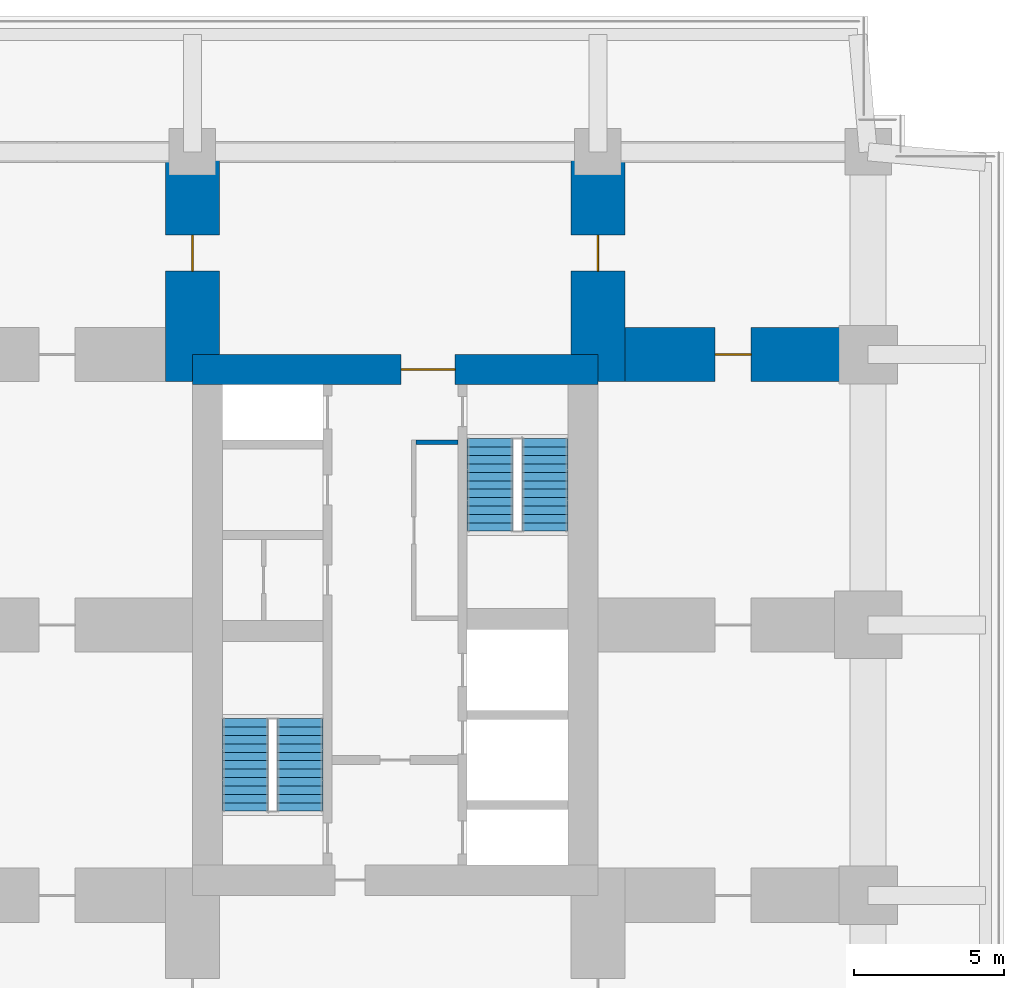
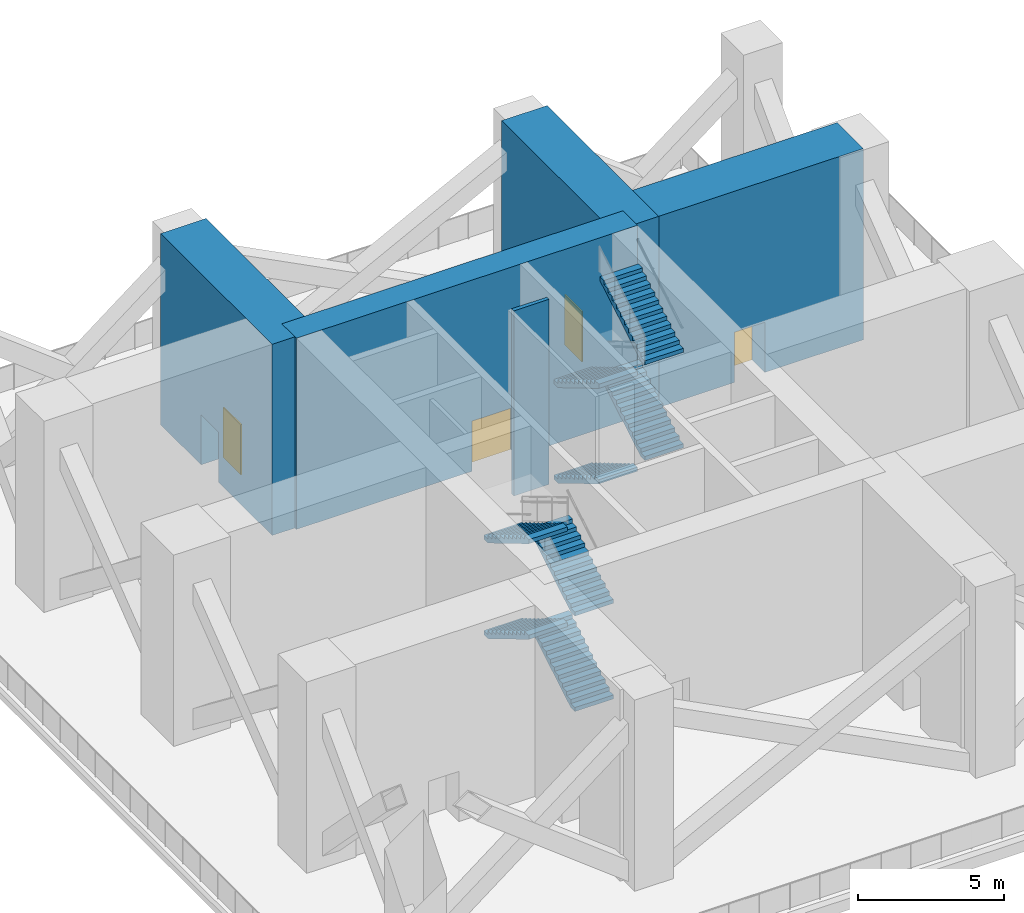
# One storey, part 3 of 6: 8 stair flights, 5 walls, 4 doors, 4 openings, 2 elements without a shape of their own.
"""IFC4 building model written with IfcOpenShell, lengths in metres."""

from ifc_helpers import new_model, si_unit, direction, frame, frame_2d, origin, place, context, subcontext, project, spatial, polyline, rectangle, outline, extrude, material, layer, layer_set, type_object, element, fill, aggregate, save


model = new_model("IFC4")

# Units and contexts
model_context = context("Model", 3, precision=1e-05, world=origin(), true_north=direction((0.0, 1.0)))
body_context = subcontext(model_context, "Body", "Model", "MODEL_VIEW")
ifc_project = project(units=[si_unit("LENGTHUNIT", "METRE"), si_unit("AREAUNIT", "SQUARE_METRE"), si_unit("VOLUMEUNIT", "CUBIC_METRE"), si_unit("PLANEANGLEUNIT", "RADIAN"), si_unit("MASSUNIT", "GRAM", prefix="KILO")], contexts=[model_context])

# Site, building, storey
site_placement = place(None, origin())
site = spatial("IfcSite", under=ifc_project, at=site_placement, CompositionType="ELEMENT")
building_placement = place(site_placement, origin())
building = spatial("IfcBuilding", under=site, at=building_placement, Name="Namib Vertical Campus", CompositionType="ELEMENT")
storey_placement = place(building_placement, frame((0.0, 0.0, 245.0)))
storey = spatial("IfcBuildingStorey", under=building, at=storey_placement, Name="L58", CompositionType="ELEMENT", Elevation=245.0)

# Wall, opening, door
ifc_material_1 = material(Name="Concrete C60/75", Category="concrete")
ifc_layer_1 = layer(ifc_material_1, 1.0)
ifc_layer_set_1 = layer_set([ifc_layer_1], Name="Concrete C60/75")
wall_type_1 = type_object("IfcWallType", Name="Core wall 1000", PredefinedType="SHEAR", material=ifc_layer_set_1)
wall_1_placement = place(storey_placement, frame((27.0, 28.75, 0.0), z_axis=(0.0, 0.0, 1.0), x_axis=(-1.0, 0.0, 0.0)))
wall_1 = element("IfcWall", 1, at=wall_1_placement, inside=storey, type_object=wall_type_1, Name="Core wall A L58 3", PredefinedType="SHEAR", context=body_context, shape_type="SweptSolid", body=[
    extrude(rectangle(XDim=13.5, YDim=1.0, at=frame_2d((6.75, 0.0))), origin(), (0.0, 0.0, 1.0), 8.0),
])
opening_1_placement = place(wall_1_placement, frame((4.75, 0.0, 0.0)))
opening_1 = element("IfcOpeningElement", 2, at=opening_1_placement, cuts=wall_1, Name="Opening FD2", PredefinedType="OPENING", context=body_context, shape_type="SweptSolid", body=[
    extrude(rectangle(XDim=1.800048828125, YDim=2.10009765625, at=frame_2d((0.89990234375, 1.050048828125))), frame((0.0, 0.510009765625, 0.0), z_axis=(0.0, -1.0, 0.0), x_axis=(1.0, 0.0, 0.0)), (0.0, 0.0, 1.0), 1.02001953125),
])
ifc_material_2 = material(Name="Steel fire door", Category="steel")
door_type_1 = type_object("IfcDoorType", Name="Fire door double 1800x2100", OperationType="DOUBLE_DOOR_SINGLE_SWING", PredefinedType="DOOR", material=ifc_material_2)
door_1_placement = place(opening_1_placement, frame((1.800048828125, 0.0, 0.0), z_axis=(0.0, 0.0, 1.0), x_axis=(-1.0, 0.0, 0.0)))
door_1 = element("IfcDoor", 3, at=door_1_placement, inside=storey, type_object=door_type_1, Name="Lift lobby door FD2 A L58", OperationType="DOUBLE_DOOR_SINGLE_SWING", OverallHeight=2.10009765625, OverallWidth=1.800048828125, PredefinedType="DOOR", context=body_context, shape_type="SweptSolid", body=[
    extrude(rectangle(XDim=1.800048828125, YDim=2.10009765625, at=frame_2d((0.89990234375, 1.050048828125))), frame((0.0, 0.02490234375, 0.0), z_axis=(0.0, -1.0, 0.0), x_axis=(1.0, 0.0, 0.0)), (0.0, 0.0, 1.0), 0.050048828125),
])
fill(opening_1, door_1)

ifc_material_3 = material(Name="Concrete C60/75", Category="concrete")
ifc_layer_2 = layer(ifc_material_3, 1.800048828125)
ifc_layer_set_2 = layer_set([ifc_layer_2], Name="Concrete C60/75")
wall_type_2 = type_object("IfcWallType", Name="Outrigger wall 1800", PredefinedType="SHEAR", material=ifc_layer_set_2)
wall_2_placement = place(storey_placement, frame((13.5, 28.35009765625, 0.0), z_axis=(0.0, 0.0, 1.0), x_axis=(0.0, 1.0, 0.0)))
wall_2 = element("IfcWall", 4, at=wall_2_placement, inside=storey, type_object=wall_type_2, Name="Outrigger wall A L58 OR3", PredefinedType="SHEAR", context=body_context, shape_type="SweptSolid", body=[
    extrude(rectangle(XDim=7.64990234375, YDim=1.800048828125, at=frame_2d((3.824951171875, 0.0))), origin(), (0.0, 0.0, 1.0), 8.0),
])
opening_2_placement = place(wall_2_placement, frame((3.675048828125, 0.0, 0.0)))
opening_2 = element("IfcOpeningElement", 5, at=opening_2_placement, cuts=wall_2, Name="Opening RD1", PredefinedType="OPENING", context=body_context, shape_type="SweptSolid", body=[
    extrude(rectangle(XDim=1.199951171875, YDim=2.10009765625, at=frame_2d((0.60009765625, 1.050048828125))), frame((0.0, 0.909912109375, 0.0), z_axis=(0.0, -1.0, 0.0), x_axis=(1.0, 0.0, 0.0)), (0.0, 0.0, 1.0), 1.820068359375),
])
ifc_material_4 = material(Name="Steel fire door", Category="steel")
door_type_2 = type_object("IfcDoorType", Name="Refuge door 1200x2100", OperationType="DOUBLE_DOOR_DOUBLE_SWING", PredefinedType="DOOR", material=ifc_material_4)
door_2_placement = place(opening_2_placement, origin())
door_2 = element("IfcDoor", 6, at=door_2_placement, inside=storey, type_object=door_type_2, Name="Refuge door RD1 A L58 OR3", OperationType="DOUBLE_DOOR_DOUBLE_SWING", OverallHeight=2.10009765625, OverallWidth=1.199951171875, PredefinedType="DOOR", context=body_context, shape_type="SweptSolid", body=[
    extrude(rectangle(XDim=1.199951171875, YDim=2.10009765625, at=frame_2d((0.60009765625, 1.050048828125))), frame((0.0, 0.02490234375, 0.0), z_axis=(0.0, -1.0, 0.0), x_axis=(1.0, 0.0, 0.0)), (0.0, 0.0, 1.0), 0.050048828125),
])
fill(opening_2, door_2)

wall_3_placement = place(storey_placement, frame((27.0, 28.35009765625, 0.0), z_axis=(0.0, 0.0, 1.0), x_axis=(0.0, 1.0, 0.0)))
wall_3 = element("IfcWall", 7, at=wall_3_placement, inside=storey, type_object=wall_type_2, Name="Outrigger wall A L58 OR4", PredefinedType="SHEAR", context=body_context, shape_type="SweptSolid", body=[
    extrude(rectangle(XDim=7.64990234375, YDim=1.800048828125, at=frame_2d((3.824951171875, 0.0))), origin(), (0.0, 0.0, 1.0), 8.0),
])
opening_3_placement = place(wall_3_placement, frame((3.675048828125, 0.0, 0.0)))
opening_3 = element("IfcOpeningElement", 8, at=opening_3_placement, cuts=wall_3, Name="Opening RD1", PredefinedType="OPENING", context=body_context, shape_type="SweptSolid", body=[
    extrude(rectangle(XDim=1.199951171875, YDim=2.10009765625, at=frame_2d((0.60009765625, 1.050048828125))), frame((0.0, 0.909912109375, 0.0), z_axis=(0.0, -1.0, 0.0), x_axis=(1.0, 0.0, 0.0)), (0.0, 0.0, 1.0), 1.820068359375),
])
door_3_placement = place(opening_3_placement, origin())
door_3 = element("IfcDoor", 9, at=door_3_placement, inside=storey, type_object=door_type_2, Name="Refuge door RD1 A L58 OR4", OperationType="DOUBLE_DOOR_DOUBLE_SWING", OverallHeight=2.10009765625, OverallWidth=1.199951171875, PredefinedType="DOOR", context=body_context, shape_type="SweptSolid", body=[
    extrude(rectangle(XDim=1.199951171875, YDim=2.10009765625, at=frame_2d((0.60009765625, 1.050048828125))), frame((0.0, 0.02490234375, 0.0), z_axis=(0.0, -1.0, 0.0), x_axis=(1.0, 0.0, 0.0)), (0.0, 0.0, 1.0), 0.050048828125),
])
fill(opening_3, door_3)

wall_4_placement = place(storey_placement, frame((27.89990234375, 29.25, 0.0), z_axis=(0.0, 0.0, 1.0), x_axis=(1.0, 0.0, 0.0)))
wall_4 = element("IfcWall", 10, at=wall_4_placement, inside=storey, type_object=wall_type_2, Name="Outrigger wall A L58 OR10", PredefinedType="SHEAR", context=body_context, shape_type="SweptSolid", body=[
    extrude(rectangle(XDim=8.10009765625, YDim=1.800048828125, at=frame_2d((4.050048828125, 0.0))), origin(), (0.0, 0.0, 1.0), 8.0),
])
opening_4_placement = place(wall_4_placement, frame((3.0, 0.0, 0.0)))
opening_4 = element("IfcOpeningElement", 11, at=opening_4_placement, cuts=wall_4, Name="Opening RD1", PredefinedType="OPENING", context=body_context, shape_type="SweptSolid", body=[
    extrude(rectangle(XDim=1.199951171875, YDim=2.10009765625, at=frame_2d((0.60009765625, 1.050048828125))), frame((0.0, 0.909912109375, 0.0), z_axis=(0.0, -1.0, 0.0), x_axis=(1.0, 0.0, 0.0)), (0.0, 0.0, 1.0), 1.820068359375),
])
door_4_placement = place(opening_4_placement, origin())
door_4 = element("IfcDoor", 12, at=door_4_placement, inside=storey, type_object=door_type_2, Name="Refuge door RD1 A L58 OR10", OperationType="DOUBLE_DOOR_DOUBLE_SWING", OverallHeight=2.10009765625, OverallWidth=1.199951171875, PredefinedType="DOOR", context=body_context, shape_type="SweptSolid", body=[
    extrude(rectangle(XDim=1.199951171875, YDim=2.10009765625, at=frame_2d((0.60009765625, 1.050048828125))), frame((0.0, 0.02490234375, 0.0), z_axis=(0.0, -1.0, 0.0), x_axis=(1.0, 0.0, 0.0)), (0.0, 0.0, 1.0), 0.050048828125),
])
fill(opening_4, door_4)

# Wall
ifc_material_5 = material(Name="Gypsum board on steel studs", Category="steel")
ifc_layer_3 = layer(ifc_material_5, 0.14990234375)
ifc_layer_set_3 = layer_set([ifc_layer_3], Name="Gypsum board on steel studs")
wall_type_3 = type_object("IfcWallType", Name="Partition 150", PredefinedType="PARTITIONING", material=ifc_layer_set_3)
wall_5_placement = place(storey_placement, frame((20.949951171875, 26.324951171875, 0.0), z_axis=(0.0, 0.0, 1.0), x_axis=(1.0, 0.0, 0.0)))
element("IfcWall", 13, at=wall_5_placement, inside=storey, type_object=wall_type_3, Name="Partition A L58 Store end 2", PredefinedType="PARTITIONING", context=body_context, shape_type="SweptSolid", body=[
    extrude(rectangle(XDim=1.400146484375, YDim=0.14990234375, at=frame_2d((0.7001953125, 0.0))), origin(), (0.0, 0.0, 1.0), 7.75),
])

# Stair, stair flights
ifc_material_6 = material(Name="Concrete C40/50 precast", Category="concrete")
stair_type = type_object("IfcStairType", Name="Exit stair 8000 rise 48 risers 3350 wide", PredefinedType="HALF_TURN_STAIR", material=ifc_material_6)
stair_1_placement = place(storey_placement, origin())
stair_1 = element("IfcStair", 14, at=stair_1_placement, inside=storey, type_object=stair_type, Name="Exit stair A-S1 L58", PredefinedType="HALF_TURN_STAIR")
ifc_material_7 = material(Name="Concrete C40/50 precast", Category="concrete")
stair_flight_type = type_object("IfcStairFlightType", Name="Stair flight 12 risers 167 1525 wide", PredefinedType="STRAIGHT", material=ifc_material_7)
stair_flight_1_placement = place(storey_placement, frame((17.08740234375, 14.050048828125, 0.0), z_axis=(0.0, 0.0, 1.0), x_axis=(0.0, 1.0, 0.0)))
stair_flight_1 = element("IfcStairFlight", 15, at=stair_flight_1_placement, type_object=stair_flight_type, Name="A-S1 flight 1", NumberOfRisers=12, NumberOfTreads=11, PredefinedType="STRAIGHT", RiserHeight=0.166666667, TreadLength=0.28, context=body_context, shape_type="SweptSolid", body=[
    extrude(outline(polyline([(0.0, 0.0), (0.0, 0.166748046875), (0.280029296875, 0.166748046875), (0.280029296875, 0.333251953125), (0.56005859375, 0.333251953125), (0.56005859375, 0.5), (0.840087890625, 0.5), (0.840087890625, 0.666748046875), (1.1201171875, 0.666748046875), (1.1201171875, 0.833251953125), (1.39990234375, 0.833251953125), (1.39990234375, 1.0), (1.679931640625, 1.0), (1.679931640625, 1.166748046875), (1.9599609375, 1.166748046875), (1.9599609375, 1.333251953125), (2.239990234375, 1.333251953125), (2.239990234375, 1.5), (2.52001953125, 1.5), (2.52001953125, 1.666748046875), (2.800048828125, 1.666748046875), (2.800048828125, 1.833251953125), (3.080078125, 1.833251953125), (3.080078125, 2.0), (3.080078125, 1.658935546875), (0.29296875, 0.0), (0.0, 0.0)])), frame((0.0, 0.762451171875, 0.0), z_axis=(0.0, -1.0, 0.0), x_axis=(1.0, 0.0, 0.0)), (0.0, 0.0, 1.0), 1.52490234375),
])
stair_flight_2_placement = place(storey_placement, frame((15.262451171875, 17.1298828125, 2.0), z_axis=(0.0, 0.0, 1.0), x_axis=(0.0, -1.0, 0.0)))
stair_flight_2 = element("IfcStairFlight", 16, at=stair_flight_2_placement, type_object=stair_flight_type, Name="A-S1 flight 2", NumberOfRisers=12, NumberOfTreads=11, PredefinedType="STRAIGHT", RiserHeight=0.166666667, TreadLength=0.28, context=body_context, shape_type="SweptSolid", body=[
    extrude(outline(polyline([(0.0, 0.0), (0.0, 0.166748046875), (0.280029296875, 0.166748046875), (0.280029296875, 0.333251953125), (0.56005859375, 0.333251953125), (0.56005859375, 0.5), (0.840087890625, 0.5), (0.840087890625, 0.666748046875), (1.1201171875, 0.666748046875), (1.1201171875, 0.833251953125), (1.39990234375, 0.833251953125), (1.39990234375, 1.0), (1.679931640625, 1.0), (1.679931640625, 1.166748046875), (1.9599609375, 1.166748046875), (1.9599609375, 1.333251953125), (2.239990234375, 1.333251953125), (2.239990234375, 1.5), (2.52001953125, 1.5), (2.52001953125, 1.666748046875), (2.800048828125, 1.666748046875), (2.800048828125, 1.833251953125), (3.080078125, 1.833251953125), (3.080078125, 2.0), (3.080078125, 1.658935546875), (0.29296875, 0.0), (0.0, 0.0)])), frame((0.0, 0.762451171875, 0.0), z_axis=(0.0, -1.0, 0.0), x_axis=(1.0, 0.0, 0.0)), (0.0, 0.0, 1.0), 1.52490234375),
])
stair_flight_3_placement = place(storey_placement, frame((17.08740234375, 14.050048828125, 4.0), z_axis=(0.0, 0.0, 1.0), x_axis=(0.0, 1.0, 0.0)))
stair_flight_3 = element("IfcStairFlight", 17, at=stair_flight_3_placement, type_object=stair_flight_type, Name="A-S1 flight 3", NumberOfRisers=12, NumberOfTreads=11, PredefinedType="STRAIGHT", RiserHeight=0.166666667, TreadLength=0.28, context=body_context, shape_type="SweptSolid", body=[
    extrude(outline(polyline([(0.0, 0.0), (0.0, 0.166748046875), (0.280029296875, 0.166748046875), (0.280029296875, 0.333251953125), (0.56005859375, 0.333251953125), (0.56005859375, 0.5), (0.840087890625, 0.5), (0.840087890625, 0.666748046875), (1.1201171875, 0.666748046875), (1.1201171875, 0.833251953125), (1.39990234375, 0.833251953125), (1.39990234375, 1.0), (1.679931640625, 1.0), (1.679931640625, 1.166748046875), (1.9599609375, 1.166748046875), (1.9599609375, 1.333251953125), (2.239990234375, 1.333251953125), (2.239990234375, 1.5), (2.52001953125, 1.5), (2.52001953125, 1.666748046875), (2.800048828125, 1.666748046875), (2.800048828125, 1.833251953125), (3.080078125, 1.833251953125), (3.080078125, 2.0), (3.080078125, 1.658935546875), (0.29296875, 0.0), (0.0, 0.0)])), frame((0.0, 0.762451171875, 0.0), z_axis=(0.0, -1.0, 0.0), x_axis=(1.0, 0.0, 0.0)), (0.0, 0.0, 1.0), 1.52490234375),
])
stair_flight_4_placement = place(storey_placement, frame((15.262451171875, 17.1298828125, 6.0), z_axis=(0.0, 0.0, 1.0), x_axis=(0.0, -1.0, 0.0)))
stair_flight_4 = element("IfcStairFlight", 18, at=stair_flight_4_placement, type_object=stair_flight_type, Name="A-S1 flight 4", NumberOfRisers=12, NumberOfTreads=11, PredefinedType="STRAIGHT", RiserHeight=0.166666667, TreadLength=0.28, context=body_context, shape_type="SweptSolid", body=[
    extrude(outline(polyline([(0.0, 0.0), (0.0, 0.166748046875), (0.280029296875, 0.166748046875), (0.280029296875, 0.333251953125), (0.56005859375, 0.333251953125), (0.56005859375, 0.5), (0.840087890625, 0.5), (0.840087890625, 0.666748046875), (1.1201171875, 0.666748046875), (1.1201171875, 0.833251953125), (1.39990234375, 0.833251953125), (1.39990234375, 1.0), (1.679931640625, 1.0), (1.679931640625, 1.166748046875), (1.9599609375, 1.166748046875), (1.9599609375, 1.333251953125), (2.239990234375, 1.333251953125), (2.239990234375, 1.5), (2.52001953125, 1.5), (2.52001953125, 1.666748046875), (2.800048828125, 1.666748046875), (2.800048828125, 1.833251953125), (3.080078125, 1.833251953125), (3.080078125, 2.0), (3.080078125, 1.658935546875), (0.29296875, 0.0), (0.0, 0.0)])), frame((0.0, 0.762451171875, 0.0), z_axis=(0.0, -1.0, 0.0), x_axis=(1.0, 0.0, 0.0)), (0.0, 0.0, 1.0), 1.52490234375),
])
aggregate(stair_1, [stair_flight_1, stair_flight_2, stair_flight_3, stair_flight_4])

stair_2_placement = place(storey_placement, origin())
stair_2 = element("IfcStair", 19, at=stair_2_placement, inside=storey, type_object=stair_type, Name="Exit stair A-S2 L58", PredefinedType="HALF_TURN_STAIR")
stair_flight_5_placement = place(storey_placement, frame((23.41259765625, 26.449951171875, 0.0), z_axis=(0.0, 0.0, 1.0), x_axis=(0.0, -1.0, 0.0)))
stair_flight_5 = element("IfcStairFlight", 20, at=stair_flight_5_placement, type_object=stair_flight_type, Name="A-S2 flight 1", NumberOfRisers=12, NumberOfTreads=11, PredefinedType="STRAIGHT", RiserHeight=0.166666667, TreadLength=0.28, context=body_context, shape_type="SweptSolid", body=[
    extrude(outline(polyline([(0.0, 0.0), (0.0, 0.166748046875), (0.280029296875, 0.166748046875), (0.280029296875, 0.333251953125), (0.56005859375, 0.333251953125), (0.56005859375, 0.5), (0.840087890625, 0.5), (0.840087890625, 0.666748046875), (1.1201171875, 0.666748046875), (1.1201171875, 0.833251953125), (1.39990234375, 0.833251953125), (1.39990234375, 1.0), (1.679931640625, 1.0), (1.679931640625, 1.166748046875), (1.9599609375, 1.166748046875), (1.9599609375, 1.333251953125), (2.239990234375, 1.333251953125), (2.239990234375, 1.5), (2.52001953125, 1.5), (2.52001953125, 1.666748046875), (2.800048828125, 1.666748046875), (2.800048828125, 1.833251953125), (3.080078125, 1.833251953125), (3.080078125, 2.0), (3.080078125, 1.658935546875), (0.29296875, 0.0), (0.0, 0.0)])), frame((0.0, 0.762451171875, 0.0), z_axis=(0.0, -1.0, 0.0), x_axis=(1.0, 0.0, 0.0)), (0.0, 0.0, 1.0), 1.52490234375),
])
stair_flight_6_placement = place(storey_placement, frame((25.237548828125, 23.3701171875, 2.0), z_axis=(0.0, 0.0, 1.0), x_axis=(0.0, 1.0, 0.0)))
stair_flight_6 = element("IfcStairFlight", 21, at=stair_flight_6_placement, type_object=stair_flight_type, Name="A-S2 flight 2", NumberOfRisers=12, NumberOfTreads=11, PredefinedType="STRAIGHT", RiserHeight=0.166666667, TreadLength=0.28, context=body_context, shape_type="SweptSolid", body=[
    extrude(outline(polyline([(0.0, 0.0), (0.0, 0.166748046875), (0.280029296875, 0.166748046875), (0.280029296875, 0.333251953125), (0.56005859375, 0.333251953125), (0.56005859375, 0.5), (0.840087890625, 0.5), (0.840087890625, 0.666748046875), (1.1201171875, 0.666748046875), (1.1201171875, 0.833251953125), (1.39990234375, 0.833251953125), (1.39990234375, 1.0), (1.679931640625, 1.0), (1.679931640625, 1.166748046875), (1.9599609375, 1.166748046875), (1.9599609375, 1.333251953125), (2.239990234375, 1.333251953125), (2.239990234375, 1.5), (2.52001953125, 1.5), (2.52001953125, 1.666748046875), (2.800048828125, 1.666748046875), (2.800048828125, 1.833251953125), (3.080078125, 1.833251953125), (3.080078125, 2.0), (3.080078125, 1.658935546875), (0.29296875, 0.0), (0.0, 0.0)])), frame((0.0, 0.762451171875, 0.0), z_axis=(0.0, -1.0, 0.0), x_axis=(1.0, 0.0, 0.0)), (0.0, 0.0, 1.0), 1.52490234375),
])
stair_flight_7_placement = place(storey_placement, frame((23.41259765625, 26.449951171875, 4.0), z_axis=(0.0, 0.0, 1.0), x_axis=(0.0, -1.0, 0.0)))
stair_flight_7 = element("IfcStairFlight", 22, at=stair_flight_7_placement, type_object=stair_flight_type, Name="A-S2 flight 3", NumberOfRisers=12, NumberOfTreads=11, PredefinedType="STRAIGHT", RiserHeight=0.166666667, TreadLength=0.28, context=body_context, shape_type="SweptSolid", body=[
    extrude(outline(polyline([(0.0, 0.0), (0.0, 0.166748046875), (0.280029296875, 0.166748046875), (0.280029296875, 0.333251953125), (0.56005859375, 0.333251953125), (0.56005859375, 0.5), (0.840087890625, 0.5), (0.840087890625, 0.666748046875), (1.1201171875, 0.666748046875), (1.1201171875, 0.833251953125), (1.39990234375, 0.833251953125), (1.39990234375, 1.0), (1.679931640625, 1.0), (1.679931640625, 1.166748046875), (1.9599609375, 1.166748046875), (1.9599609375, 1.333251953125), (2.239990234375, 1.333251953125), (2.239990234375, 1.5), (2.52001953125, 1.5), (2.52001953125, 1.666748046875), (2.800048828125, 1.666748046875), (2.800048828125, 1.833251953125), (3.080078125, 1.833251953125), (3.080078125, 2.0), (3.080078125, 1.658935546875), (0.29296875, 0.0), (0.0, 0.0)])), frame((0.0, 0.762451171875, 0.0), z_axis=(0.0, -1.0, 0.0), x_axis=(1.0, 0.0, 0.0)), (0.0, 0.0, 1.0), 1.52490234375),
])
stair_flight_8_placement = place(storey_placement, frame((25.237548828125, 23.3701171875, 6.0), z_axis=(0.0, 0.0, 1.0), x_axis=(0.0, 1.0, 0.0)))
stair_flight_8 = element("IfcStairFlight", 23, at=stair_flight_8_placement, type_object=stair_flight_type, Name="A-S2 flight 4", NumberOfRisers=12, NumberOfTreads=11, PredefinedType="STRAIGHT", RiserHeight=0.166666667, TreadLength=0.28, context=body_context, shape_type="SweptSolid", body=[
    extrude(outline(polyline([(0.0, 0.0), (0.0, 0.166748046875), (0.280029296875, 0.166748046875), (0.280029296875, 0.333251953125), (0.56005859375, 0.333251953125), (0.56005859375, 0.5), (0.840087890625, 0.5), (0.840087890625, 0.666748046875), (1.1201171875, 0.666748046875), (1.1201171875, 0.833251953125), (1.39990234375, 0.833251953125), (1.39990234375, 1.0), (1.679931640625, 1.0), (1.679931640625, 1.166748046875), (1.9599609375, 1.166748046875), (1.9599609375, 1.333251953125), (2.239990234375, 1.333251953125), (2.239990234375, 1.5), (2.52001953125, 1.5), (2.52001953125, 1.666748046875), (2.800048828125, 1.666748046875), (2.800048828125, 1.833251953125), (3.080078125, 1.833251953125), (3.080078125, 2.0), (3.080078125, 1.658935546875), (0.29296875, 0.0), (0.0, 0.0)])), frame((0.0, 0.762451171875, 0.0), z_axis=(0.0, -1.0, 0.0), x_axis=(1.0, 0.0, 0.0)), (0.0, 0.0, 1.0), 1.52490234375),
])
aggregate(stair_2, [stair_flight_5, stair_flight_6, stair_flight_7, stair_flight_8])

save(model, "model.ifc")
